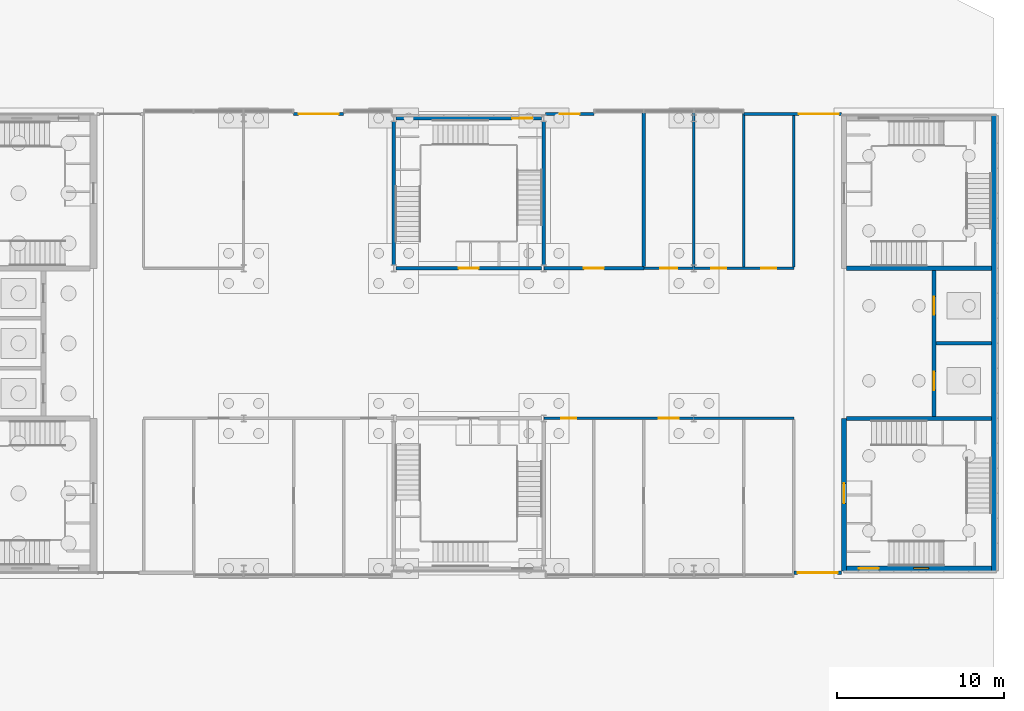
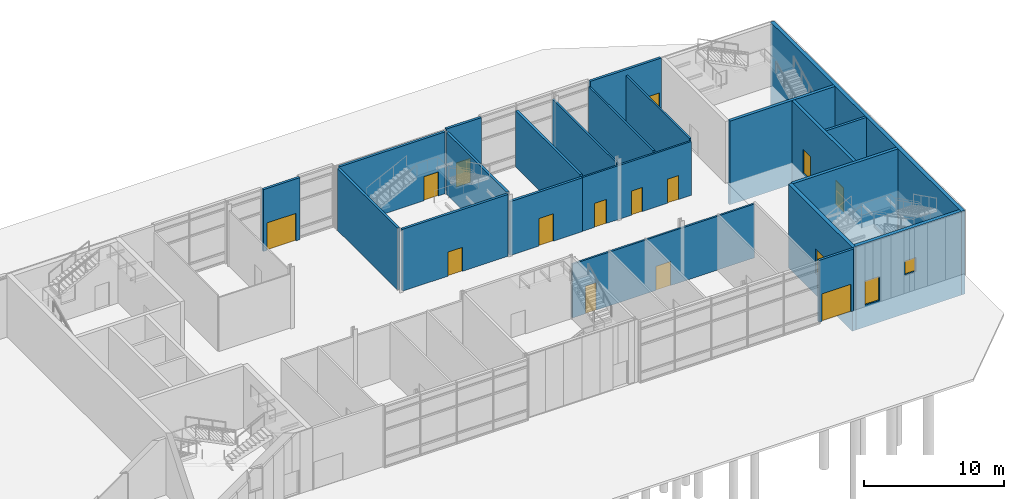
# One storey, part 32 of 45: 22 walls, 16 doors, 1 window, 17 openings.
"""IFC4 building model written with IfcOpenShell, lengths in metres."""

from ifc_helpers import new_model, si_unit, direction, frame, frame_2d, origin, place, context, subcontext, project, spatial, rectangle, extrude, material, layer, layer_set, type_object, element, fill, save


model = new_model("IFC4")

# Units and contexts
model_context = context("Model", 3, precision=1e-05, world=origin(), true_north=direction((0.0, 1.0)))
body_context = subcontext(model_context, "Body", "Model", "MODEL_VIEW")
ifc_project = project(units=[si_unit("LENGTHUNIT", "METRE"), si_unit("AREAUNIT", "SQUARE_METRE"), si_unit("VOLUMEUNIT", "CUBIC_METRE"), si_unit("PLANEANGLEUNIT", "RADIAN"), si_unit("MASSUNIT", "GRAM", prefix="KILO")], contexts=[model_context])

# Site, building, storey
site_placement = place(None, origin())
site = spatial("IfcSite", under=ifc_project, at=site_placement, CompositionType="ELEMENT")
building_placement = place(site_placement, origin())
building = spatial("IfcBuilding", under=site, at=building_placement, Name="Azimuth Sports and Learning Centre", CompositionType="ELEMENT")
storey_placement = place(building_placement, origin())
storey = spatial("IfcBuildingStorey", under=building, at=storey_placement, Name="L00", CompositionType="ELEMENT", Elevation=0.0)

# Wall
ifc_material_1 = material(Name="Dense masonry blockwork", Category="masonry")
ifc_layer_1 = layer(ifc_material_1, 0.199951171875)
ifc_layer_set_1 = layer_set([ifc_layer_1], Name="Dense masonry blockwork")
wall_type_1 = type_object("IfcWallType", Name="Blockwork wall 200 EI 120", PredefinedType="SOLIDWALL", material=ifc_layer_set_1)
wall_1_placement = place(storey_placement, frame((167.52490234375, 103.5, -1.89990234375), z_axis=(0.0, 0.0, 1.0), x_axis=(1.0, 0.0, 0.0)))
element("IfcWall", 1, at=wall_1_placement, inside=storey, type_object=wall_type_1, Name="SD-EW-1-L00", PredefinedType="SOLIDWALL", context=body_context, shape_type="SweptSolid", body=[
    extrude(rectangle(XDim=3.3251953125, YDim=0.199951171875, at=frame_2d((1.66259765625, 0.0))), origin(), (0.0, 0.0, 1.0), 7.2998046875),
])

# Wall, opening, door
ifc_material_2 = material(Name="Insulated cladding wall")
ifc_layer_2 = layer(ifc_material_2, 0.199951171875)
ifc_layer_set_2 = layer_set([ifc_layer_2], Name="Insulated cladding wall")
wall_type_2 = type_object("IfcWallType", Name="Entrance wall 200", PredefinedType="SOLIDWALL", material=ifc_layer_set_2)
wall_2_placement = place(storey_placement, frame((159.0, 89.75, 0.0), z_axis=(0.0, 0.0, 1.0), x_axis=(1.0, 0.0, 0.0)))
wall_2 = element("IfcWall", 2, at=wall_2_placement, inside=storey, type_object=wall_type_2, Name="Entrance wall S-WING E-2 L00", PredefinedType="SOLIDWALL", context=body_context, shape_type="SweptSolid", body=[
    extrude(rectangle(XDim=2.85009765625, YDim=0.199951171875, at=frame_2d((1.425048828125, 0.0))), origin(), (0.0, 0.0, 1.0), 5.39990234375),
])
opening_1_placement = place(wall_2_placement, frame((0.22509765625, 0.0, 0.0)))
opening_1 = element("IfcOpeningElement", 3, at=opening_1_placement, cuts=wall_2, Name="Opening D00-011", PredefinedType="OPENING", context=body_context, shape_type="SweptSolid", body=[
    extrude(rectangle(XDim=2.39990234375, YDim=2.39990234375, at=frame_2d((1.199951171875, 1.199951171875))), frame((0.0, 0.11083984375, 0.0), z_axis=(0.0, -1.0, 0.0), x_axis=(1.0, 0.0, 0.0)), (0.0, 0.0, 1.0), 0.221923828125),
])
ifc_material_3 = material(Name="Steel", Category="steel")
door_type_1 = type_object("IfcDoorType", Name="Exterior door double leaf 2400x2400 FD60", OperationType="DOUBLE_DOOR_DOUBLE_SWING", PredefinedType="DOOR", material=ifc_material_3)
door_1_placement = place(opening_1_placement, frame((2.39990234375, 0.0, 0.0), z_axis=(0.0, 0.0, 1.0), x_axis=(-1.0, 0.0, 0.0)))
door_1 = element("IfcDoor", 4, at=door_1_placement, inside=storey, type_object=door_type_1, Name="Exterior door D00-011", OperationType="DOUBLE_DOOR_DOUBLE_SWING", OverallHeight=2.39990234375, OverallWidth=2.39990234375, PredefinedType="DOOR", context=body_context, shape_type="SweptSolid", body=[
    extrude(rectangle(XDim=2.39990234375, YDim=2.39990234375, at=frame_2d((1.199951171875, 1.199951171875))), frame((0.0, 0.02490234375, 0.0), z_axis=(0.0, -1.0, 0.0), x_axis=(1.0, 0.0, 0.0)), (0.0, 0.0, 1.0), 0.050048828125),
])
fill(opening_1, door_1)

wall_3_placement = place(storey_placement, frame((161.85009765625, 117.25, 0.0), z_axis=(0.0, 0.0, 1.0), x_axis=(-1.0, 0.0, 0.0)))
wall_3 = element("IfcWall", 5, at=wall_3_placement, inside=storey, type_object=wall_type_2, Name="Entrance wall N-WING E-1 L00", PredefinedType="SOLIDWALL", context=body_context, shape_type="SweptSolid", body=[
    extrude(rectangle(XDim=5.85009765625, YDim=0.199951171875, at=frame_2d((2.925048828125, 0.0))), origin(), (0.0, 0.0, 1.0), 5.39990234375),
])
opening_2_placement = place(wall_3_placement, frame((0.14990234375, 0.0, 0.0)))
opening_2 = element("IfcOpeningElement", 6, at=opening_2_placement, cuts=wall_3, Name="Opening D00-012", PredefinedType="OPENING", context=body_context, shape_type="SweptSolid", body=[
    extrude(rectangle(XDim=2.39990234375, YDim=2.39990234375, at=frame_2d((1.199951171875, 1.199951171875))), frame((0.0, 0.11083984375, 0.0), z_axis=(0.0, -1.0, 0.0), x_axis=(1.0, 0.0, 0.0)), (0.0, 0.0, 1.0), 0.221923828125),
])
door_2_placement = place(opening_2_placement, frame((2.39990234375, 0.0, 0.0), z_axis=(0.0, 0.0, 1.0), x_axis=(-1.0, 0.0, 0.0)))
door_2 = element("IfcDoor", 7, at=door_2_placement, inside=storey, type_object=door_type_1, Name="Exterior door D00-012", OperationType="DOUBLE_DOOR_DOUBLE_SWING", OverallHeight=2.39990234375, OverallWidth=2.39990234375, PredefinedType="DOOR", context=body_context, shape_type="SweptSolid", body=[
    extrude(rectangle(XDim=2.39990234375, YDim=2.39990234375, at=frame_2d((1.199951171875, 1.199951171875))), frame((0.0, 0.02490234375, 0.0), z_axis=(0.0, -1.0, 0.0), x_axis=(1.0, 0.0, 0.0)), (0.0, 0.0, 1.0), 0.050048828125),
])
fill(opening_2, door_2)

wall_4_placement = place(storey_placement, frame((147.0, 117.25, 0.0), z_axis=(0.0, 0.0, 1.0), x_axis=(-1.0, 0.0, 0.0)))
wall_4 = element("IfcWall", 8, at=wall_4_placement, inside=storey, type_object=wall_type_2, Name="Entrance wall N-WING E-1 L00", PredefinedType="SOLIDWALL", context=body_context, shape_type="SweptSolid", body=[
    extrude(rectangle(XDim=2.89990234375, YDim=0.199951171875, at=frame_2d((1.449951171875, 0.0))), origin(), (0.0, 0.0, 1.0), 5.39990234375),
])
opening_3_placement = place(wall_4_placement, frame((0.85009765625, 0.0, 0.0)))
opening_3 = element("IfcOpeningElement", 9, at=opening_3_placement, cuts=wall_4, Name="Opening D00-013", PredefinedType="OPENING", context=body_context, shape_type="SweptSolid", body=[
    extrude(rectangle(XDim=1.199951171875, YDim=2.10009765625, at=frame_2d((0.60009765625, 1.050048828125))), frame((0.0, 0.11083984375, 0.0), z_axis=(0.0, -1.0, 0.0), x_axis=(1.0, 0.0, 0.0)), (0.0, 0.0, 1.0), 0.221923828125),
])
ifc_material_4 = material(Name="Aluminium and glass", Category="aluminium")
door_type_2 = type_object("IfcDoorType", Name="Exterior door single leaf 1200x2100", OperationType="NOTDEFINED", PredefinedType="DOOR", material=ifc_material_4)
door_3_placement = place(opening_3_placement, frame((1.199951171875, 0.0, 0.0), z_axis=(0.0, 0.0, 1.0), x_axis=(-1.0, 0.0, 0.0)))
door_3 = element("IfcDoor", 10, at=door_3_placement, inside=storey, type_object=door_type_2, Name="Exterior door D00-013", OperationType="SINGLE_SWING_RIGHT", OverallHeight=2.10009765625, OverallWidth=1.199951171875, PredefinedType="DOOR", context=body_context, shape_type="SweptSolid", body=[
    extrude(rectangle(XDim=1.199951171875, YDim=2.10009765625, at=frame_2d((0.60009765625, 1.050048828125))), frame((0.0, 0.02490234375, 0.0), z_axis=(0.0, -1.0, 0.0), x_axis=(1.0, 0.0, 0.0)), (0.0, 0.0, 1.0), 0.050048828125),
])
fill(opening_3, door_3)

wall_5_placement = place(storey_placement, frame((132.0, 117.25, 0.0), z_axis=(0.0, 0.0, 1.0), x_axis=(-1.0, 0.0, 0.0)))
wall_5 = element("IfcWall", 11, at=wall_5_placement, inside=storey, type_object=wall_type_2, Name="Entrance wall N-WING E-2 L00", PredefinedType="SOLIDWALL", context=body_context, shape_type="SweptSolid", body=[
    extrude(rectangle(XDim=3.0, YDim=0.199951171875, at=frame_2d((1.5, 0.0))), origin(), (0.0, 0.0, 1.0), 5.39990234375),
])
opening_4_placement = place(wall_5_placement, frame((0.300048828125, 0.0, 0.0)))
opening_4 = element("IfcOpeningElement", 12, at=opening_4_placement, cuts=wall_5, Name="Opening D00-014", PredefinedType="OPENING", context=body_context, shape_type="SweptSolid", body=[
    extrude(rectangle(XDim=2.39990234375, YDim=2.39990234375, at=frame_2d((1.199951171875, 1.199951171875))), frame((0.0, 0.11083984375, 0.0), z_axis=(0.0, -1.0, 0.0), x_axis=(1.0, 0.0, 0.0)), (0.0, 0.0, 1.0), 0.221923828125),
])
ifc_material_5 = material(Name="Aluminium and glass", Category="aluminium")
door_type_3 = type_object("IfcDoorType", Name="Exterior door double leaf 2400x2400", OperationType="DOUBLE_DOOR_DOUBLE_SWING", PredefinedType="DOOR", material=ifc_material_5)
door_4_placement = place(opening_4_placement, frame((2.39990234375, 0.0, 0.0), z_axis=(0.0, 0.0, 1.0), x_axis=(-1.0, 0.0, 0.0)))
door_4 = element("IfcDoor", 13, at=door_4_placement, inside=storey, type_object=door_type_3, Name="Exterior door D00-014", OperationType="DOUBLE_DOOR_DOUBLE_SWING", OverallHeight=2.39990234375, OverallWidth=2.39990234375, PredefinedType="DOOR", context=body_context, shape_type="SweptSolid", body=[
    extrude(rectangle(XDim=2.39990234375, YDim=2.39990234375, at=frame_2d((1.199951171875, 1.199951171875))), frame((0.0, 0.02490234375, 0.0), z_axis=(0.0, -1.0, 0.0), x_axis=(1.0, 0.0, 0.0)), (0.0, 0.0, 1.0), 0.050048828125),
])
fill(opening_4, door_4)

# Wall, openings, doors
ifc_material_6 = material(Name="Lightweight blockwork, rendered", Category="masonry")
ifc_layer_3 = layer(ifc_material_6, 0.14990234375)
ifc_layer_set_3 = layer_set([ifc_layer_3], Name="Lightweight blockwork, rendered")
wall_type_3 = type_object("IfcWallType", Name="Partition 150 EI 60", PredefinedType="PARTITIONING", material=ifc_layer_set_3)
wall_6_placement = place(storey_placement, frame((144.0, 99.0, 0.0), z_axis=(0.0, 0.0, 1.0), x_axis=(1.0, 0.0, 0.0)))
wall_6 = element("IfcWall", 14, at=wall_6_placement, inside=storey, type_object=wall_type_3, Name="Partition 150 EI 60", PredefinedType="PARTITIONING", context=body_context, shape_type="SweptSolid", body=[
    extrude(rectangle(XDim=15.0, YDim=0.14990234375, at=frame_2d((7.5, 0.0))), origin(), (0.0, 0.0, 1.0), 4.699951171875),
])
opening_5_placement = place(wall_6_placement, frame((6.89990234375, 0.0, 0.0)))
opening_5 = element("IfcOpeningElement", 15, at=opening_5_placement, cuts=wall_6, Name="Opening D00-077", PredefinedType="OPENING", context=body_context, shape_type="SweptSolid", body=[
    extrude(rectangle(XDim=1.199951171875, YDim=2.10009765625, at=frame_2d((0.60009765625, 1.050048828125))), frame((0.0, 0.0859375, 0.0), z_axis=(0.0, -1.0, 0.0), x_axis=(1.0, 0.0, 0.0)), (0.0, 0.0, 1.0), 0.171875),
])
opening_6_placement = place(wall_6_placement, frame((1.050048828125, 0.0, 0.0)))
opening_6 = element("IfcOpeningElement", 16, at=opening_6_placement, cuts=wall_6, Name="Opening D00-079", PredefinedType="OPENING", context=body_context, shape_type="SweptSolid", body=[
    extrude(rectangle(XDim=0.89990234375, YDim=2.39990234375, at=frame_2d((0.449951171875, 1.199951171875))), frame((0.0, 0.0859375, 0.0), z_axis=(0.0, -1.0, 0.0), x_axis=(1.0, 0.0, 0.0)), (0.0, 0.0, 1.0), 0.171875),
])
ifc_material_7 = material(Name="Timber fire door set", Category="wood")
door_type_4 = type_object("IfcDoorType", Name="Timber door single 1200x2100 FD60", OperationType="NOTDEFINED", PredefinedType="DOOR", material=ifc_material_7)
door_5_placement = place(opening_5_placement, frame((1.199951171875, 0.0, 0.0), z_axis=(0.0, 0.0, 1.0), x_axis=(-1.0, 0.0, 0.0)))
door_5 = element("IfcDoor", 17, at=door_5_placement, inside=storey, type_object=door_type_4, Name="Door D00-077", OperationType="SINGLE_SWING_RIGHT", OverallHeight=2.10009765625, OverallWidth=1.199951171875, PredefinedType="DOOR", context=body_context, shape_type="SweptSolid", body=[
    extrude(rectangle(XDim=1.199951171875, YDim=2.10009765625, at=frame_2d((0.60009765625, 1.050048828125))), frame((0.0, 0.02490234375, 0.0), z_axis=(0.0, -1.0, 0.0), x_axis=(1.0, 0.0, 0.0)), (0.0, 0.0, 1.0), 0.050048828125),
])
fill(opening_5, door_5)
ifc_material_8 = material(Name="Timber fire door set", Category="wood")
door_type_5 = type_object("IfcDoorType", Name="Timber door single 900x2400 FD60", OperationType="NOTDEFINED", PredefinedType="DOOR", material=ifc_material_8)
door_6_placement = place(opening_6_placement, frame((0.89990234375, 0.0, 0.0), z_axis=(0.0, 0.0, 1.0), x_axis=(-1.0, 0.0, 0.0)))
door_6 = element("IfcDoor", 18, at=door_6_placement, inside=storey, type_object=door_type_5, Name="Door D00-079", OperationType="SINGLE_SWING_LEFT", OverallHeight=2.39990234375, OverallWidth=0.89990234375, PredefinedType="DOOR", context=body_context, shape_type="SweptSolid", body=[
    extrude(rectangle(XDim=0.89990234375, YDim=2.39990234375, at=frame_2d((0.449951171875, 1.199951171875))), frame((0.0, 0.02490234375, 0.0), z_axis=(0.0, -1.0, 0.0), x_axis=(1.0, 0.0, 0.0)), (0.0, 0.0, 1.0), 0.050048828125),
])
fill(opening_6, door_6)

wall_7_placement = place(storey_placement, frame((150.0, 108.0, 0.0), z_axis=(0.0, 0.0, 1.0), x_axis=(1.0, 0.0, 0.0)))
wall_7 = element("IfcWall", 19, at=wall_7_placement, inside=storey, type_object=wall_type_3, Name="Partition 150 EI 60", PredefinedType="PARTITIONING", context=body_context, shape_type="SweptSolid", body=[
    extrude(rectangle(XDim=9.0, YDim=0.14990234375, at=frame_2d((4.5, 0.0))), origin(), (0.0, 0.0, 1.0), 4.699951171875),
])
opening_7_placement = place(wall_7_placement, frame((7.050048828125, 0.0, 0.0)))
opening_7 = element("IfcOpeningElement", 20, at=opening_7_placement, cuts=wall_7, Name="Opening D00-084", PredefinedType="OPENING", context=body_context, shape_type="SweptSolid", body=[
    extrude(rectangle(XDim=0.89990234375, YDim=2.10009765625, at=frame_2d((0.449951171875, 1.050048828125))), frame((0.0, 0.0859375, 0.0), z_axis=(0.0, -1.0, 0.0), x_axis=(1.0, 0.0, 0.0)), (0.0, 0.0, 1.0), 0.171875),
])
opening_8_placement = place(wall_7_placement, frame((4.050048828125, 0.0, 0.0)))
opening_8 = element("IfcOpeningElement", 21, at=opening_8_placement, cuts=wall_7, Name="Opening D00-085", PredefinedType="OPENING", context=body_context, shape_type="SweptSolid", body=[
    extrude(rectangle(XDim=0.89990234375, YDim=2.10009765625, at=frame_2d((0.449951171875, 1.050048828125))), frame((0.0, 0.0859375, 0.0), z_axis=(0.0, -1.0, 0.0), x_axis=(1.0, 0.0, 0.0)), (0.0, 0.0, 1.0), 0.171875),
])
opening_9_placement = place(wall_7_placement, frame((1.0, 0.0, 0.0)))
opening_9 = element("IfcOpeningElement", 22, at=opening_9_placement, cuts=wall_7, Name="Opening D00-086", PredefinedType="OPENING", context=body_context, shape_type="SweptSolid", body=[
    extrude(rectangle(XDim=1.0, YDim=2.10009765625, at=frame_2d((0.5, 1.050048828125))), frame((0.0, 0.0859375, 0.0), z_axis=(0.0, -1.0, 0.0), x_axis=(1.0, 0.0, 0.0)), (0.0, 0.0, 1.0), 0.171875),
])
ifc_material_9 = material(Name="Timber fire door set", Category="wood")
door_type_6 = type_object("IfcDoorType", Name="Timber door single 1000x2100 FD60", OperationType="NOTDEFINED", PredefinedType="DOOR", material=ifc_material_9)
door_7_placement = place(opening_9_placement, origin())
door_7 = element("IfcDoor", 23, at=door_7_placement, inside=storey, type_object=door_type_6, Name="Door D00-086", OperationType="SINGLE_SWING_LEFT", OverallHeight=2.10009765625, OverallWidth=1.0, PredefinedType="DOOR", context=body_context, shape_type="SweptSolid", body=[
    extrude(rectangle(XDim=1.0, YDim=2.10009765625, at=frame_2d((0.5, 1.050048828125))), frame((0.0, 0.02490234375, 0.0), z_axis=(0.0, -1.0, 0.0), x_axis=(1.0, 0.0, 0.0)), (0.0, 0.0, 1.0), 0.050048828125),
])
fill(opening_9, door_7)
ifc_material_10 = material(Name="Timber fire door set", Category="wood")
door_type_7 = type_object("IfcDoorType", Name="Timber door single 900x2100 FD60", OperationType="NOTDEFINED", PredefinedType="DOOR", material=ifc_material_10)
door_8_placement = place(opening_7_placement, origin())
door_8 = element("IfcDoor", 24, at=door_8_placement, inside=storey, type_object=door_type_7, Name="Door D00-084", OperationType="SINGLE_SWING_LEFT", OverallHeight=2.10009765625, OverallWidth=0.89990234375, PredefinedType="DOOR", context=body_context, shape_type="SweptSolid", body=[
    extrude(rectangle(XDim=0.89990234375, YDim=2.10009765625, at=frame_2d((0.449951171875, 1.050048828125))), frame((0.0, 0.02490234375, 0.0), z_axis=(0.0, -1.0, 0.0), x_axis=(1.0, 0.0, 0.0)), (0.0, 0.0, 1.0), 0.050048828125),
])
fill(opening_7, door_8)
door_9_placement = place(opening_8_placement, origin())
door_9 = element("IfcDoor", 25, at=door_9_placement, inside=storey, type_object=door_type_7, Name="Door D00-085", OperationType="SINGLE_SWING_LEFT", OverallHeight=2.10009765625, OverallWidth=0.89990234375, PredefinedType="DOOR", context=body_context, shape_type="SweptSolid", body=[
    extrude(rectangle(XDim=0.89990234375, YDim=2.10009765625, at=frame_2d((0.449951171875, 1.050048828125))), frame((0.0, 0.02490234375, 0.0), z_axis=(0.0, -1.0, 0.0), x_axis=(1.0, 0.0, 0.0)), (0.0, 0.0, 1.0), 0.050048828125),
])
fill(opening_8, door_9)

# Walls
wall_8_placement = place(storey_placement, frame((153.0, 108.074951171875, 0.0), z_axis=(0.0, 0.0, 1.0), x_axis=(0.0, 1.0, 0.0)))
element("IfcWall", 26, at=wall_8_placement, inside=storey, type_object=wall_type_3, Name="Partition 150 EI 60", PredefinedType="PARTITIONING", context=body_context, shape_type="SweptSolid", body=[
    extrude(rectangle(XDim=9.22509765625, YDim=0.14990234375, at=frame_2d((4.612548828125, 0.0))), origin(), (0.0, 0.0, 1.0), 4.85009765625),
])
for number, where, z_axis, x_axis, name in (
    (27, (156.0, 108.074951171875, 0.0), (0.0, 0.0, 1.0), (0.0, 1.0, 0.0), "Partition 150 EI 60"),
    (28, (159.0, 108.074951171875, 0.0), (0.0, 0.0, 1.0), (0.0, 1.0, 0.0), "Partition 150 EI 60"),
):
    element("IfcWall", number, at=place(storey_placement, frame(where, z_axis=z_axis, x_axis=x_axis)), inside=storey, type_object=wall_type_3, Name=name, PredefinedType="PARTITIONING", context=body_context, shape_type="SweptSolid", body=[
        extrude(rectangle(XDim=9.22509765625, YDim=0.14990234375, at=frame_2d((4.612548828125, 0.0))), origin(), (0.0, 0.0, 1.0), 4.889892578125),
    ])

# Wall, opening, door
ifc_material_11 = material(Name="Reinforced masonry blockwork", Category="masonry")
ifc_layer_4 = layer(ifc_material_11, 0.199951171875)
ifc_layer_set_4 = layer_set([ifc_layer_4], Name="Reinforced masonry blockwork")
wall_type_4 = type_object("IfcWallType", Name="Plant and shaft wall 200 EI 120", PredefinedType="SOLIDWALL", material=ifc_layer_set_4)
wall_9_placement = place(storey_placement, frame((144.0, 108.0, 0.0), z_axis=(0.0, 0.0, 1.0), x_axis=(1.0, 0.0, 0.0)))
wall_9 = element("IfcWall", 29, at=wall_9_placement, inside=storey, type_object=wall_type_4, Name="Plant and shaft wall 200 EI 120", PredefinedType="SOLIDWALL", context=body_context, shape_type="SweptSolid", body=[
    extrude(rectangle(XDim=6.0, YDim=0.199951171875, at=frame_2d((3.0, 0.0))), origin(), (0.0, 0.0, 1.0), 4.699951171875),
])
opening_10_placement = place(wall_9_placement, frame((2.39990234375, 0.0, 0.0)))
opening_10 = element("IfcOpeningElement", 30, at=opening_10_placement, cuts=wall_9, Name="Opening D00-087", PredefinedType="OPENING", context=body_context, shape_type="SweptSolid", body=[
    extrude(rectangle(XDim=1.199951171875, YDim=2.39990234375, at=frame_2d((0.60009765625, 1.199951171875))), frame((0.0, 0.11083984375, 0.0), z_axis=(0.0, -1.0, 0.0), x_axis=(1.0, 0.0, 0.0)), (0.0, 0.0, 1.0), 0.221923828125),
])
ifc_material_12 = material(Name="Steel fire door set", Category="steel")
door_type_8 = type_object("IfcDoorType", Name="Steel door single 1200x2400 FD120", OperationType="NOTDEFINED", PredefinedType="DOOR", material=ifc_material_12)
door_10_placement = place(opening_10_placement, origin())
door_10 = element("IfcDoor", 31, at=door_10_placement, inside=storey, type_object=door_type_8, Name="Door D00-087", OperationType="SINGLE_SWING_LEFT", OverallHeight=2.39990234375, OverallWidth=1.199951171875, PredefinedType="DOOR", context=body_context, shape_type="SweptSolid", body=[
    extrude(rectangle(XDim=1.199951171875, YDim=2.39990234375, at=frame_2d((0.60009765625, 1.199951171875))), frame((0.0, 0.02490234375, 0.0), z_axis=(0.0, -1.0, 0.0), x_axis=(1.0, 0.0, 0.0)), (0.0, 0.0, 1.0), 0.050048828125),
])
fill(opening_10, door_10)

# Wall
wall_10_placement = place(storey_placement, frame((150.0, 108.10009765625, 0.0), z_axis=(0.0, 0.0, 1.0), x_axis=(0.0, 1.0, 0.0)))
element("IfcWall", 32, at=wall_10_placement, inside=storey, type_object=wall_type_4, Name="Plant and shaft wall 200 EI 120", PredefinedType="SOLIDWALL", context=body_context, shape_type="SweptSolid", body=[
    extrude(rectangle(XDim=9.199951171875, YDim=0.199951171875, at=frame_2d((4.60009765625, 0.0))), origin(), (0.0, 0.0, 1.0), 4.889892578125),
])

# Wall, opening, door
ifc_material_13 = material(Name="Concrete C40/50", Category="concrete")
ifc_layer_5 = layer(ifc_material_13, 0.199951171875)
ifc_layer_set_5 = layer_set([ifc_layer_5], Name="Concrete C40/50")
wall_type_5 = type_object("IfcWallType", Name="RC cell wall 200 EI 120", PredefinedType="SHEAR", material=ifc_layer_set_5)
wall_11_placement = place(storey_placement, frame((135.14990234375, 108.0, 0.0), z_axis=(0.0, 0.0, 1.0), x_axis=(1.0, 0.0, 0.0)))
wall_11 = element("IfcWall", 33, at=wall_11_placement, inside=storey, type_object=wall_type_5, Name="CE-EM2-S-L00", PredefinedType="SHEAR", context=body_context, shape_type="SweptSolid", body=[
    extrude(rectangle(XDim=8.7001953125, YDim=0.199951171875, at=frame_2d((4.35009765625, 0.0))), origin(), (0.0, 0.0, 1.0), 5.39990234375),
])
opening_11_placement = place(wall_11_placement, frame((3.75, 0.0, 0.0)))
opening_11 = element("IfcOpeningElement", 34, at=opening_11_placement, cuts=wall_11, Name="Opening D00-046", PredefinedType="OPENING", context=body_context, shape_type="SweptSolid", body=[
    extrude(rectangle(XDim=1.199951171875, YDim=2.10009765625, at=frame_2d((0.60009765625, 1.050048828125))), frame((0.0, 0.11083984375, 0.0), z_axis=(0.0, -1.0, 0.0), x_axis=(1.0, 0.0, 0.0)), (0.0, 0.0, 1.0), 0.221923828125),
])
ifc_material_14 = material(Name="Steel", Category="steel")
door_type_9 = type_object("IfcDoorType", Name="Stair fire door 1200 x 2100", OperationType="NOTDEFINED", PredefinedType="DOOR", material=ifc_material_14)
door_11_placement = place(opening_11_placement, frame((1.199951171875, 0.0, 0.0), z_axis=(0.0, 0.0, 1.0), x_axis=(-1.0, 0.0, 0.0)))
door_11 = element("IfcDoor", 35, at=door_11_placement, inside=storey, type_object=door_type_9, Name="Stair door EM2 L00", OperationType="SINGLE_SWING_LEFT", OverallHeight=2.10009765625, OverallWidth=1.199951171875, PredefinedType="DOOR", context=body_context, shape_type="SweptSolid", body=[
    extrude(rectangle(XDim=1.199951171875, YDim=2.10009765625, at=frame_2d((0.60009765625, 1.050048828125))), frame((0.0, 0.02490234375, 0.0), z_axis=(0.0, -1.0, 0.0), x_axis=(1.0, 0.0, 0.0)), (0.0, 0.0, 1.0), 0.050048828125),
])
fill(opening_11, door_11)

# Walls
for number, where, z_axis, x_axis, name in (
    (36, (135.0, 108.199951171875, 0.0), (0.0, 0.0, 1.0), (0.0, 1.0, 0.0), "CE-EM2-W-L00"),
    (37, (144.0, 108.199951171875, 0.0), (0.0, 0.0, 1.0), (0.0, 1.0, 0.0), "CE-EM2-E-L00"),
):
    element("IfcWall", number, at=place(storey_placement, frame(where, z_axis=z_axis, x_axis=x_axis)), inside=storey, type_object=wall_type_5, Name=name, PredefinedType="SHEAR", context=body_context, shape_type="SweptSolid", body=[
        extrude(rectangle(XDim=8.60009765625, YDim=0.199951171875, at=frame_2d((4.300048828125, 0.0))), origin(), (0.0, 0.0, 1.0), 5.39990234375),
    ])
ifc_material_15 = material(Name="Concrete C40/50", Category="concrete")
ifc_layer_6 = layer(ifc_material_15, 0.25)
ifc_layer_set_6 = layer_set([ifc_layer_6], Name="Concrete C40/50")
wall_type_6 = type_object("IfcWallType", Name="RC core wall 250", PredefinedType="SHEAR", material=ifc_layer_set_6)
for number, where, z_axis, x_axis, name in (
    (38, (162.14990234375, 99.0, -1.89990234375), (0.0, 0.0, 1.0), (1.0, 0.0, 0.0), "Core wall EW D1 L00"),
    (39, (162.14990234375, 108.0, -1.89990234375), (0.0, 0.0, 1.0), (1.0, 0.0, 0.0), "Core wall EW D2 L00"),
):
    element("IfcWall", number, at=place(storey_placement, frame(where, z_axis=z_axis, x_axis=x_axis)), inside=storey, type_object=wall_type_6, Name=name, PredefinedType="SHEAR", context=body_context, shape_type="SweptSolid", body=[
        extrude(rectangle(XDim=8.7001953125, YDim=0.25, at=frame_2d((4.35009765625, 0.0))), origin(), (0.0, 0.0, 1.0), 7.2998046875),
    ])

# Wall, openings, doors
wall_12_placement = place(storey_placement, frame((167.39990234375, 99.125, -1.89990234375), z_axis=(0.0, 0.0, 1.0), x_axis=(0.0, 1.0, 0.0)))
wall_12 = element("IfcWall", 40, at=wall_12_placement, inside=storey, type_object=wall_type_6, Name="Core wall EW LB1 L00", PredefinedType="SHEAR", context=body_context, shape_type="SweptSolid", body=[
    extrude(rectangle(XDim=8.75, YDim=0.25, at=frame_2d((4.375, 0.0))), origin(), (0.0, 0.0, 1.0), 7.2998046875),
])
opening_12_placement = place(wall_12_placement, frame((1.574951171875, 0.0, 1.89990234375)))
opening_12 = element("IfcOpeningElement", 41, at=opening_12_placement, cuts=wall_12, Name="Opening D00-062", PredefinedType="OPENING", context=body_context, shape_type="SweptSolid", body=[
    extrude(rectangle(XDim=1.10009765625, YDim=2.10009765625, at=frame_2d((0.550048828125, 1.050048828125))), frame((0.0, 0.135986328125, 0.0), z_axis=(0.0, -1.0, 0.0), x_axis=(1.0, 0.0, 0.0)), (0.0, 0.0, 1.0), 0.27197265625),
])
opening_13_placement = place(wall_12_placement, frame((6.074951171875, 0.0, 1.89990234375)))
opening_13 = element("IfcOpeningElement", 42, at=opening_13_placement, cuts=wall_12, Name="Opening D00-063", PredefinedType="OPENING", context=body_context, shape_type="SweptSolid", body=[
    extrude(rectangle(XDim=1.10009765625, YDim=2.10009765625, at=frame_2d((0.550048828125, 1.050048828125))), frame((0.0, 0.135986328125, 0.0), z_axis=(0.0, -1.0, 0.0), x_axis=(1.0, 0.0, 0.0)), (0.0, 0.0, 1.0), 0.27197265625),
])
ifc_material_16 = material(Name="Stainless steel", Category="steel")
door_type_10 = type_object("IfcDoorType", Name="Lift landing door 1100 x 2100", OperationType="DOUBLE_DOOR_SLIDING", PredefinedType="DOOR", material=ifc_material_16)
door_12_placement = place(opening_12_placement, origin())
door_12 = element("IfcDoor", 43, at=door_12_placement, inside=storey, type_object=door_type_10, Name="Landing door LEW1 L00", OperationType="DOUBLE_DOOR_SLIDING", OverallHeight=2.10009765625, OverallWidth=1.10009765625, PredefinedType="DOOR", context=body_context, shape_type="SweptSolid", body=[
    extrude(rectangle(XDim=1.10009765625, YDim=2.10009765625, at=frame_2d((0.550048828125, 1.050048828125))), frame((0.0, 0.02490234375, 0.0), z_axis=(0.0, -1.0, 0.0), x_axis=(1.0, 0.0, 0.0)), (0.0, 0.0, 1.0), 0.050048828125),
])
fill(opening_12, door_12)
door_13_placement = place(opening_13_placement, origin())
door_13 = element("IfcDoor", 44, at=door_13_placement, inside=storey, type_object=door_type_10, Name="Landing door LEW2 L00", OperationType="DOUBLE_DOOR_SLIDING", OverallHeight=2.10009765625, OverallWidth=1.10009765625, PredefinedType="DOOR", context=body_context, shape_type="SweptSolid", body=[
    extrude(rectangle(XDim=1.10009765625, YDim=2.10009765625, at=frame_2d((0.550048828125, 1.050048828125))), frame((0.0, 0.02490234375, 0.0), z_axis=(0.0, -1.0, 0.0), x_axis=(1.0, 0.0, 0.0)), (0.0, 0.0, 1.0), 0.050048828125),
])
fill(opening_13, door_13)

# Wall, opening, door
ifc_material_17 = material(Name="Concrete C40/50", Category="concrete")
ifc_layer_7 = layer(ifc_material_17, 0.300048828125)
ifc_layer_set_7 = layer_set([ifc_layer_7], Name="Concrete C40/50")
wall_type_7 = type_object("IfcWallType", Name="RC core wall 300", PredefinedType="SHEAR", material=ifc_layer_set_7)
wall_13_placement = place(storey_placement, frame((162.0, 89.85009765625, -1.89990234375), z_axis=(0.0, 0.0, 1.0), x_axis=(0.0, 1.0, 0.0)))
wall_13 = element("IfcWall", 45, at=wall_13_placement, inside=storey, type_object=wall_type_7, Name="Core wall EW WS L00", PredefinedType="SHEAR", context=body_context, shape_type="SweptSolid", body=[
    extrude(rectangle(XDim=9.14990234375, YDim=0.300048828125, at=frame_2d((4.574951171875, 0.0))), origin(), (0.0, 0.0, 1.0), 7.2998046875),
])
opening_14_placement = place(wall_13_placement, frame((4.050048828125, 0.0, 1.89990234375)))
opening_14 = element("IfcOpeningElement", 46, at=opening_14_placement, cuts=wall_13, Name="Opening D00-036", PredefinedType="OPENING", context=body_context, shape_type="SweptSolid", body=[
    extrude(rectangle(XDim=1.199951171875, YDim=2.10009765625, at=frame_2d((0.60009765625, 1.050048828125))), frame((0.0, 0.1611328125, 0.0), z_axis=(0.0, -1.0, 0.0), x_axis=(1.0, 0.0, 0.0)), (0.0, 0.0, 1.0), 0.322021484375),
])
door_14_placement = place(opening_14_placement, origin())
door_14 = element("IfcDoor", 47, at=door_14_placement, inside=storey, type_object=door_type_9, Name="Stair door EW1 L00", OperationType="SINGLE_SWING_RIGHT", OverallHeight=2.10009765625, OverallWidth=1.199951171875, PredefinedType="DOOR", context=body_context, shape_type="SweptSolid", body=[
    extrude(rectangle(XDim=1.199951171875, YDim=2.10009765625, at=frame_2d((0.60009765625, 1.050048828125))), frame((0.0, 0.02490234375, 0.0), z_axis=(0.0, -1.0, 0.0), x_axis=(1.0, 0.0, 0.0)), (0.0, 0.0, 1.0), 0.050048828125),
])
fill(opening_14, door_14)

ifc_material_18 = material(Name="Concrete C40/50", Category="concrete")
ifc_layer_8 = layer(ifc_material_18, 0.199951171875)
ifc_layer_set_8 = layer_set([ifc_layer_8], Name="Concrete C40/50")
wall_type_8 = type_object("IfcWallType", Name="RC external cell wall 200 EI 120", PredefinedType="SHEAR", material=ifc_layer_set_8)
wall_14_placement = place(storey_placement, frame((135.14990234375, 117.0, 0.0), z_axis=(0.0, 0.0, 1.0), x_axis=(1.0, 0.0, 0.0)))
wall_14 = element("IfcWall", 48, at=wall_14_placement, inside=storey, type_object=wall_type_8, Name="CE-EM2-N-L00", PredefinedType="SHEAR", context=body_context, shape_type="SweptSolid", body=[
    extrude(rectangle(XDim=8.7001953125, YDim=0.199951171875, at=frame_2d((4.35009765625, 0.0))), origin(), (0.0, 0.0, 1.0), 5.39990234375),
])
opening_15_placement = place(wall_14_placement, frame((6.949951171875, 0.0, 0.0)))
opening_15 = element("IfcOpeningElement", 49, at=opening_15_placement, cuts=wall_14, Name="Opening D00-047", PredefinedType="OPENING", context=body_context, shape_type="SweptSolid", body=[
    extrude(rectangle(XDim=1.199951171875, YDim=2.10009765625, at=frame_2d((0.60009765625, 1.050048828125))), frame((0.0, 0.11083984375, 0.0), z_axis=(0.0, -1.0, 0.0), x_axis=(1.0, 0.0, 0.0)), (0.0, 0.0, 1.0), 0.221923828125),
])
door_15_placement = place(opening_15_placement, origin())
door_15 = element("IfcDoor", 50, at=door_15_placement, inside=storey, type_object=door_type_9, Name="Stair door EM2 L00 exit", OperationType="SINGLE_SWING_RIGHT", OverallHeight=2.10009765625, OverallWidth=1.199951171875, PredefinedType="DOOR", context=body_context, shape_type="SweptSolid", body=[
    extrude(rectangle(XDim=1.199951171875, YDim=2.10009765625, at=frame_2d((0.60009765625, 1.050048828125))), frame((0.0, 0.02490234375, 0.0), z_axis=(0.0, -1.0, 0.0), x_axis=(1.0, 0.0, 0.0)), (0.0, 0.0, 1.0), 0.050048828125),
])
fill(opening_15, door_15)

# Wall, openings, door, window
ifc_material_19 = material(Name="Concrete C40/50", Category="concrete")
ifc_layer_9 = layer(ifc_material_19, 0.300048828125)
ifc_layer_set_9 = layer_set([ifc_layer_9], Name="Concrete C40/50")
wall_type_9 = type_object("IfcWallType", Name="RC external core wall 300", PredefinedType="SHEAR", material=ifc_layer_set_9)
wall_15_placement = place(storey_placement, frame((162.14990234375, 90.0, -1.89990234375), z_axis=(0.0, 0.0, 1.0), x_axis=(1.0, 0.0, 0.0)))
wall_15 = element("IfcWall", 51, at=wall_15_placement, inside=storey, type_object=wall_type_9, Name="Core wall EW S L00", PredefinedType="SHEAR", context=body_context, shape_type="SweptSolid", body=[
    extrude(rectangle(XDim=8.7001953125, YDim=0.300048828125, at=frame_2d((4.35009765625, 0.0))), origin(), (0.0, 0.0, 1.0), 7.2998046875),
])
opening_16_placement = place(wall_15_placement, frame((4.050048828125, 0.0, 3.39990234375)))
opening_16 = element("IfcOpeningElement", 52, at=opening_16_placement, cuts=wall_15, Name="Opening W00-004", PredefinedType="OPENING", context=body_context, shape_type="SweptSolid", body=[
    extrude(rectangle(XDim=0.89990234375, YDim=1.199951171875, at=frame_2d((0.449951171875, 0.60009765625))), frame((0.0, 0.1611328125, 0.0), z_axis=(0.0, -1.0, 0.0), x_axis=(1.0, 0.0, 0.0)), (0.0, 0.0, 1.0), 0.322021484375),
])
opening_17_placement = place(wall_15_placement, frame((0.75, 0.0, 1.89990234375)))
opening_17 = element("IfcOpeningElement", 53, at=opening_17_placement, cuts=wall_15, Name="Opening D00-037", PredefinedType="OPENING", context=body_context, shape_type="SweptSolid", body=[
    extrude(rectangle(XDim=1.199951171875, YDim=2.10009765625, at=frame_2d((0.60009765625, 1.050048828125))), frame((0.0, 0.1611328125, 0.0), z_axis=(0.0, -1.0, 0.0), x_axis=(1.0, 0.0, 0.0)), (0.0, 0.0, 1.0), 0.322021484375),
])
door_16_placement = place(opening_17_placement, frame((1.199951171875, 0.0, 0.0), z_axis=(0.0, 0.0, 1.0), x_axis=(-1.0, 0.0, 0.0)))
door_16 = element("IfcDoor", 54, at=door_16_placement, inside=storey, type_object=door_type_9, Name="Stair door EW1 L00 exit", OperationType="SINGLE_SWING_RIGHT", OverallHeight=2.10009765625, OverallWidth=1.199951171875, PredefinedType="DOOR", context=body_context, shape_type="SweptSolid", body=[
    extrude(rectangle(XDim=1.199951171875, YDim=2.10009765625, at=frame_2d((0.60009765625, 1.050048828125))), frame((0.0, 0.02490234375, 0.0), z_axis=(0.0, -1.0, 0.0), x_axis=(1.0, 0.0, 0.0)), (0.0, 0.0, 1.0), 0.050048828125),
])
fill(opening_17, door_16)
ifc_material_20 = material(Name="Aluminium and glass", Category="aluminium")
window_type = type_object("IfcWindowType", Name="Stair window end core 900x1200", PartitioningType="SINGLE_PANEL", PredefinedType="WINDOW", material=ifc_material_20)
window_placement = place(opening_16_placement, origin())
window = element("IfcWindow", 55, at=window_placement, inside=storey, type_object=window_type, Name="Window W00-004", OverallHeight=1.199951171875, OverallWidth=0.89990234375, PartitioningType="SINGLE_PANEL", PredefinedType="WINDOW", context=body_context, shape_type="SweptSolid", body=[
    extrude(rectangle(XDim=0.89990234375, YDim=1.199951171875, at=frame_2d((0.449951171875, 0.60009765625))), frame((0.0, 0.030029296875, 0.0), z_axis=(0.0, -1.0, 0.0), x_axis=(1.0, 0.0, 0.0)), (0.0, 0.0, 1.0), 0.06005859375),
])
fill(opening_16, window)

# Wall
wall_16_placement = place(storey_placement, frame((171.0, 89.85009765625, -1.89990234375), z_axis=(0.0, 0.0, 1.0), x_axis=(0.0, 1.0, 0.0)))
element("IfcWall", 56, at=wall_16_placement, inside=storey, type_object=wall_type_9, Name="Core wall EW E L00", PredefinedType="SHEAR", context=body_context, shape_type="SweptSolid", body=[
    extrude(rectangle(XDim=27.2998046875, YDim=0.300048828125, at=frame_2d((13.64990234375, 0.0))), origin(), (0.0, 0.0, 1.0), 7.2998046875),
])

save(model, "model.ifc")
